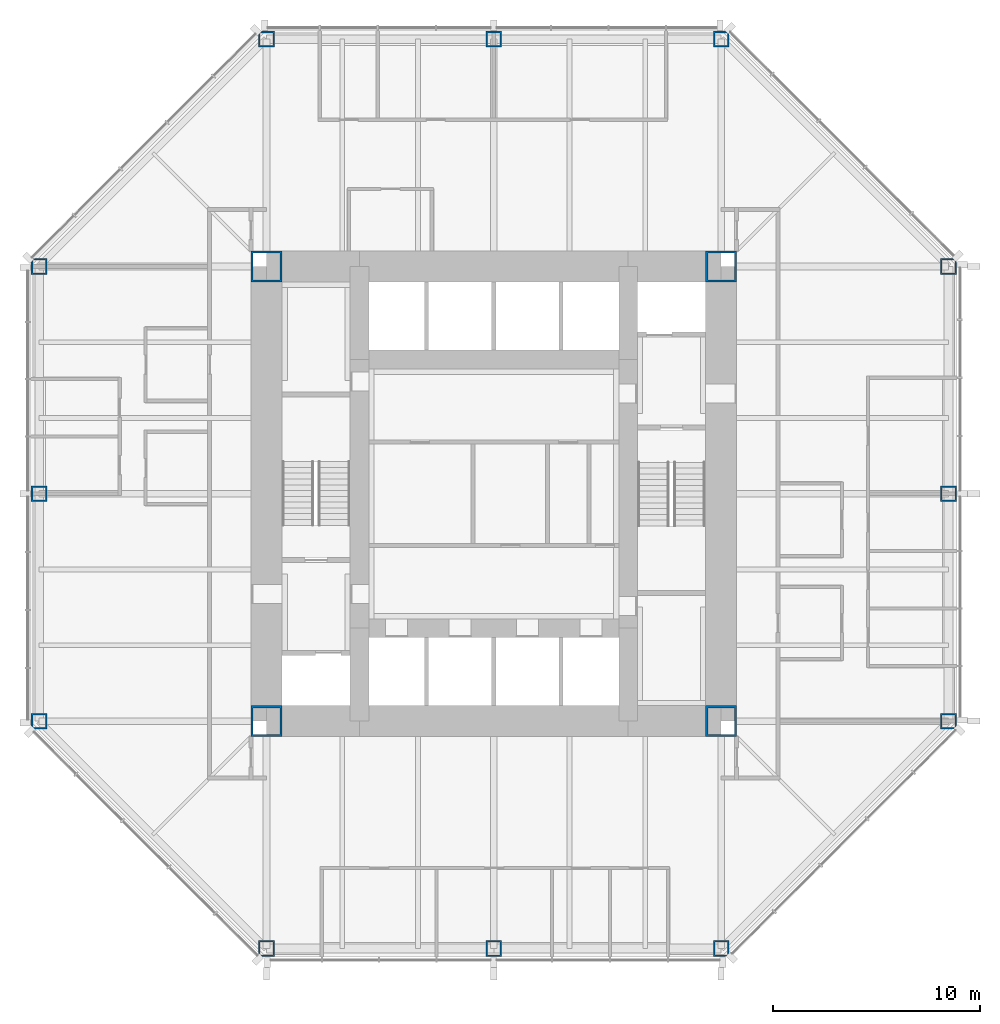
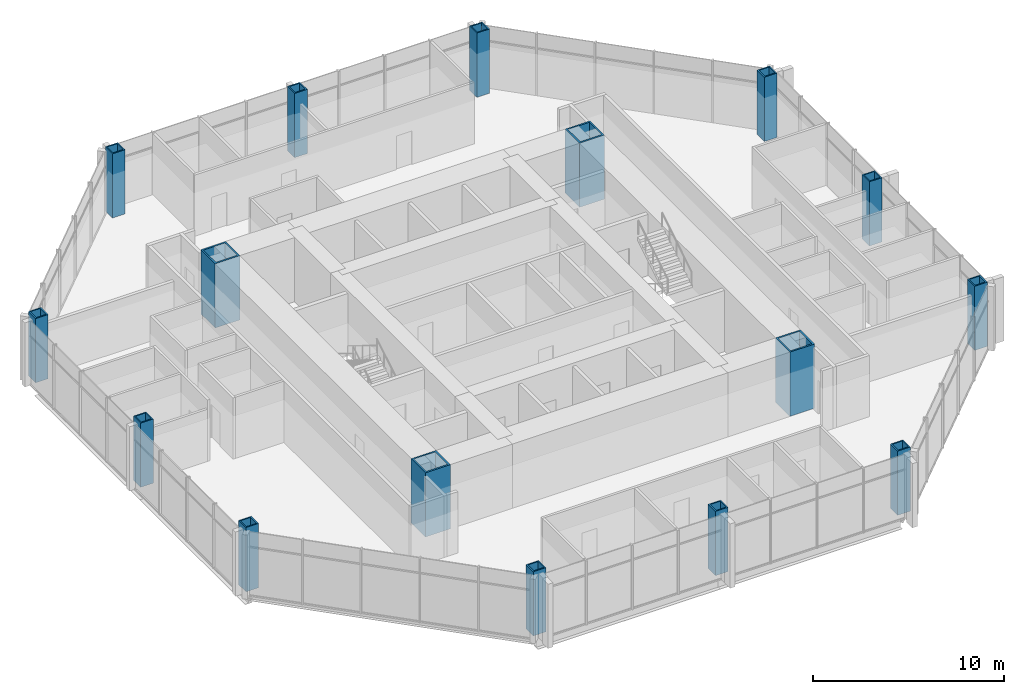
# One storey, part 1 of 12: 16 columns.
"""IFC4 building model written with IfcOpenShell, lengths in metres."""

import ifcopenshell
import ifcopenshell.guid

model = None  # the IFC model being written
_history = None  # IfcOwnerHistory: only IFC2X3 demands one
_inside = {}  # id of a spatial element -> (the spatial element, [elements in it])
_under = {}  # id of a project, library or spatial element -> (it, [spatial elements below it])
_declared = {}  # id of a project -> (the project, [libraries it declares])
_typed = {}  # id of a type object -> (the type object, [elements of that type])
_made_of = {}  # id of a material, layer set ... -> (it, [elements and type objects made of it])


def new_model(schema):
    """Start an empty IFC model of exactly this schema.

    Asked for "IFC4X3", IfcOpenShell would pick the latest addendum, in which some entities
    have other attributes; the version numbers below select the first issue.
    IFC2X3 requires an IfcOwnerHistory on every rooted entity: one is made here for all.
    """
    global model, _history
    if schema == "IFC4X3":
        model = ifcopenshell.file(schema_version=(4, 3, 0, 0))
    else:
        model = ifcopenshell.file(schema=schema)
    _inside.clear()
    _under.clear()
    _declared.clear()
    _typed.clear()
    _made_of.clear()
    _history = None
    if model.schema == "IFC2X3":
        org = make("IfcOrganization", Name="unknown")
        user = make(
            "IfcPersonAndOrganization",
            ThePerson=make("IfcPerson", FamilyName="unknown"),
            TheOrganization=org,
        )
        app = make(
            "IfcApplication",
            ApplicationDeveloper=org,
            Version="unknown",
            ApplicationFullName="unknown",
            ApplicationIdentifier="unknown",
        )
        _history = make(
            "IfcOwnerHistory",
            OwningUser=user,
            OwningApplication=app,
            ChangeAction="ADDED",
            CreationDate=0,
        )
    return model


def make(cls, **values):
    """One entity of the class cls with the attributes given. An attribute that is None is left unset."""
    return model.create_entity(
        cls, **{name: value for name, value in values.items() if value is not None}
    )


def rooted(cls, **values):
    """An entity with a GlobalId (a new one), such as an element, a storey or a relation."""
    return make(cls, GlobalId=ifcopenshell.guid.new(), OwnerHistory=_history, **values)


def si_unit(unit_type, name, prefix=None):
    """IfcSIUnit, for example si_unit("LENGTHUNIT", "METRE", prefix="MILLI")."""
    return make("IfcSIUnit", UnitType=unit_type, Prefix=prefix, Name=name)


def assignment(units):
    """IfcUnitAssignment: the units of a project."""
    return None if units is None else make("IfcUnitAssignment", Units=units)


def point(xyz):
    """IfcCartesianPoint."""
    return None if xyz is None else make("IfcCartesianPoint", Coordinates=xyz)


def direction(xyz):
    """IfcDirection."""
    return None if xyz is None else make("IfcDirection", DirectionRatios=xyz)


def frame(location, z_axis=None, x_axis=None):
    """IfcAxis2Placement3D, a coordinate frame: its origin and axes. An axis left out is left unset."""
    return make(
        "IfcAxis2Placement3D",
        Location=point(location),
        Axis=direction(z_axis),
        RefDirection=direction(x_axis),
    )


def frame_2d(location, x_axis=None):
    """IfcAxis2Placement2D, a coordinate frame in the plane: its origin and x axis."""
    return make(
        "IfcAxis2Placement2D", Location=point(location), RefDirection=direction(x_axis)
    )


def origin():
    """The frame at (0, 0, 0) with its axes left unset."""
    return frame((0.0, 0.0, 0.0))


def origin_2d():
    """The frame at (0, 0) in the plane with its x axis left unset."""
    return frame_2d((0.0, 0.0))


def place(relative_to, where):
    """IfcLocalPlacement: puts the frame where relative to a parent placement (None: the world)."""
    return make(
        "IfcLocalPlacement", PlacementRelTo=relative_to, RelativePlacement=where
    )


def context(
    kind, dimensions, precision=None, world=None, true_north=None, identifier=None
):
    """IfcGeometricRepresentationContext, for example the 3D "Model" context."""
    return make(
        "IfcGeometricRepresentationContext",
        ContextIdentifier=identifier,
        ContextType=kind,
        CoordinateSpaceDimension=dimensions,
        Precision=precision,
        WorldCoordinateSystem=world,
        TrueNorth=true_north,
    )


def subcontext(parent, identifier, kind, view, scale=None):
    """IfcGeometricRepresentationSubContext, for example "Body" below "Model"."""
    return make(
        "IfcGeometricRepresentationSubContext",
        ContextIdentifier=identifier,
        ContextType=kind,
        ParentContext=parent,
        TargetScale=scale,
        TargetView=view,
    )


def project(units=None, contexts=None):
    """IfcProject with its units and contexts."""
    return rooted(
        "IfcProject",
        Name="project",
        RepresentationContexts=contexts,
        UnitsInContext=assignment(units),
    )


def spatial(cls, under=None, at=None, **own):
    """A site, building, storey or space (cls), placed at a placement, below another one or the project."""
    s = rooted(cls, ObjectPlacement=at, **own)
    if under is not None:
        _under.setdefault(under.id(), (under, []))[1].append(s)
    return s


def profile(cls, at=None, kind="AREA", **sizes):
    """A parametric profile (cls). Its sizes go by their IFC names, for example OverallWidth=200.0."""
    return make(cls, ProfileType=kind, Position=at, **sizes)


def hollow_rectangle(**sizes):
    """IfcRectangleHollowProfileDef."""
    return profile("IfcRectangleHollowProfileDef", **sizes)


def extrude(swept, where, along, depth):
    """IfcExtrudedAreaSolid: the profile swept, set in the frame where, extruded along a direction by depth."""
    return make(
        "IfcExtrudedAreaSolid",
        SweptArea=swept,
        Position=where,
        ExtrudedDirection=direction(along),
        Depth=depth,
    )


def shape(context_of_items, identifier, shape_type, items):
    """IfcShapeRepresentation: the items that make up one representation, for example the "Body"."""
    return make(
        "IfcShapeRepresentation",
        ContextOfItems=context_of_items,
        RepresentationIdentifier=identifier,
        RepresentationType=shape_type,
        Items=items,
    )


def material(Name=None, Category=None):
    """IfcMaterial."""
    return make("IfcMaterial", Name=Name, Category=Category)


def material_profile(
    of_material, cross_section, Name=None, Category=None, Priority=None
):
    """IfcMaterialProfile: a cross section and its material."""
    return make(
        "IfcMaterialProfile",
        Name=Name,
        Material=of_material,
        Profile=cross_section,
        Priority=Priority,
        Category=Category,
    )


def profile_set(profiles, Name=None, composite=None):
    """IfcMaterialProfileSet."""
    return make(
        "IfcMaterialProfileSet",
        Name=Name,
        MaterialProfiles=profiles,
        CompositeProfile=composite,
    )


def made_of(thing, what):
    """Note that an element or type object is made of a material, layer set ...; save() writes the relation."""
    if what is not None:
        _made_of.setdefault(what.id(), (what, []))[1].append(thing)
    return thing


def type_object(cls, material=None, **own):
    """A type object (cls), such as IfcWallType, which elements share."""
    return made_of(rooted(cls, **own), material)


def element(
    cls,
    number,
    at=None,
    inside=None,
    cuts=None,
    type_object=None,
    material=None,
    context=None,
    identifier="Body",
    shape_type=None,
    held_by="IfcProductDefinitionShape",
    body=None,
    shapes=None,
    **own,
):
    """One element of the class cls, such as IfcWall. Its Tag is "e" and its number.

    at: its placement. inside: the storey or other place that contains it. cuts: it is an
    opening in that element (IfcRelVoidsElement). A single representation is given by context,
    identifier, shape_type and body (its items); several are given by shapes. held_by: the class
    of the entity that holds the representations. save() writes the other relations.
    """
    e = rooted(cls, Tag="e%d" % number, ObjectPlacement=at, **own)
    if body is not None:
        shapes = [shape(context, identifier, shape_type, body)]
    if shapes is not None:
        e.Representation = make(held_by, Representations=shapes)
    if inside is not None:
        _inside.setdefault(inside.id(), (inside, []))[1].append(e)
    if cuts is not None:
        rooted(
            "IfcRelVoidsElement", RelatingBuildingElement=cuts, RelatedOpeningElement=e
        )
    if type_object is not None:
        _typed.setdefault(type_object.id(), (type_object, []))[1].append(e)
    return made_of(e, material)


def aggregate(whole, parts):
    """IfcRelAggregates: a whole, such as a stair, and the parts it consists of."""
    return rooted("IfcRelAggregates", RelatingObject=whole, RelatedObjects=parts)


def save(model, path):
    """Write the relations noted so far, then the file.

    IfcRelAggregates (storeys below a building ...), IfcRelContainedInSpatialStructure (elements
    in a storey), IfcRelDefinesByType, IfcRelAssociatesMaterial and IfcRelDeclares: one each for
    every whole, place, type object, material and project.
    """
    for whole, parts in _under.values():
        aggregate(whole, parts)
    for where, things in _inside.values():
        rooted(
            "IfcRelContainedInSpatialStructure",
            RelatedElements=things,
            RelatingStructure=where,
        )
    for kind, things in _typed.values():
        rooted("IfcRelDefinesByType", RelatedObjects=things, RelatingType=kind)
    for what, things in _made_of.values():
        rooted("IfcRelAssociatesMaterial", RelatedObjects=things, RelatingMaterial=what)
    for by, libraries in _declared.values():
        rooted("IfcRelDeclares", RelatingContext=by, RelatedDefinitions=libraries)
    model.write(path)


model = new_model("IFC4")

# Units and contexts
model_context = context("Model", 3, precision=1e-05, world=origin(), true_north=direction((0.0, 1.0)))
body_context = subcontext(model_context, "Body", "Model", "MODEL_VIEW")
ifc_project = project(units=[si_unit("LENGTHUNIT", "METRE"), si_unit("AREAUNIT", "SQUARE_METRE"), si_unit("VOLUMEUNIT", "CUBIC_METRE"), si_unit("PLANEANGLEUNIT", "RADIAN"), si_unit("MASSUNIT", "GRAM", prefix="KILO")], contexts=[model_context])

# Site, building, storey
site_placement = place(None, origin())
site = spatial("IfcSite", under=ifc_project, at=site_placement, CompositionType="ELEMENT")
building_placement = place(site_placement, origin())
building = spatial("IfcBuilding", under=site, at=building_placement, Name="Trevanion Tower", CompositionType="ELEMENT")
storey_placement = place(building_placement, frame((0.0, 0.0, 141.800048828125)))
storey = spatial("IfcBuildingStorey", under=building, at=storey_placement, Name="L33", CompositionType="ELEMENT", Elevation=141.800048828125)

# Columns
ifc_material_1 = material(Name="Steel ASTM A572 Grade 50", Category="steel")
ifc_material_profile_1 = material_profile(ifc_material_1, hollow_rectangle(XDim=0.761962890625, YDim=0.761962890625, WallThickness=0.076171875, at=origin_2d()), Name="BOX30X30X3")
ifc_profile_set_1 = profile_set([ifc_material_profile_1], Name="Steel ASTM A572 Grade 50")
column_type_1 = type_object("IfcColumnType", Name="C4 BOX30X30X3", PredefinedType="COLUMN", material=ifc_profile_set_1)
for number, where, z_axis, x_axis, name in (
    (1, (-22.0, 0.0, 0.0), (0.0, 0.0, 1.0), (0.0, 1.0, 0.0), "C4 4/H L33"),
    (2, (-22.0, -11.0, 0.0), (0.0, 0.0, 1.0), (0.0, 1.0, 0.0), "C4 4/F L33"),
    (3, (-11.0, -22.0, 0.0), (0.0, 0.0, 1.0), (1.0, 0.0, 0.0), "C4 8/B L33"),
    (4, (0.0, -22.0, 0.0), (0.0, 0.0, 1.0), (1.0, 0.0, 0.0), "C4 10/B L33"),
    (5, (11.0, -22.0, 0.0), (0.0, 0.0, 1.0), (1.0, 0.0, 0.0), "C4 12/B L33"),
    (6, (22.0, -11.0, 0.0), (0.0, 0.0, 1.0), (0.0, 1.0, 0.0), "C4 16/F L33"),
    (7, (22.0, 0.0, 0.0), (0.0, 0.0, 1.0), (0.0, 1.0, 0.0), "C4 16/H L33"),
    (8, (22.0, 11.0, 0.0), (0.0, 0.0, 1.0), (0.0, 1.0, 0.0), "C4 16/K L33"),
    (9, (11.0, 22.0, 0.0), (0.0, 0.0, 1.0), (1.0, 0.0, 0.0), "C4 12/P L33"),
    (10, (0.0, 22.0, 0.0), (0.0, 0.0, 1.0), (1.0, 0.0, 0.0), "C4 10/P L33"),
    (11, (-11.0, 22.0, 0.0), (0.0, 0.0, 1.0), (1.0, 0.0, 0.0), "C4 8/P L33"),
    (12, (-22.0, 11.0, 0.0), (0.0, 0.0, 1.0), (0.0, 1.0, 0.0), "C4 4/K L33"),
):
    element("IfcColumn", number, at=place(storey_placement, frame(where, z_axis=z_axis, x_axis=x_axis)), inside=storey, type_object=column_type_1, Name=name, PredefinedType="COLUMN", context=body_context, shape_type="SweptSolid", body=[
        extrude(hollow_rectangle(XDim=0.761962890625, YDim=0.761962890625, WallThickness=0.076171875, at=origin_2d()), origin(), (0.0, 0.0, 1.0), 4.099853515625),
    ])
ifc_material_2 = material(Name="Steel ASTM A572 Grade 50", Category="steel")
ifc_material_profile_2 = material_profile(ifc_material_2, hollow_rectangle(XDim=1.49853515625, YDim=1.49853515625, WallThickness=0.1015625, at=origin_2d()), Name="BOX59X59X4")
ifc_profile_set_2 = profile_set([ifc_material_profile_2], Name="Steel ASTM A572 Grade 50")
column_type_2 = type_object("IfcColumnType", Name="CB1 BOX59X59X4", PredefinedType="COLUMN", material=ifc_profile_set_2)
for number, where, z_axis, x_axis, name in (
    (13, (11.0, 11.0, 0.0), (0.0, 0.0, 1.0), (1.0, 0.0, 0.0), "CB1 NE L33"),
    (14, (-11.0, 11.0, 0.0), (0.0, 0.0, 1.0), (1.0, 0.0, 0.0), "CB1 NW L33"),
    (15, (-11.0, -11.0, 0.0), (0.0, 0.0, 1.0), (1.0, 0.0, 0.0), "CB1 SW L33"),
    (16, (11.0, -11.0, 0.0), (0.0, 0.0, 1.0), (1.0, 0.0, 0.0), "CB1 SE L33"),
):
    element("IfcColumn", number, at=place(storey_placement, frame(where, z_axis=z_axis, x_axis=x_axis)), inside=storey, type_object=column_type_2, Name=name, PredefinedType="COLUMN", context=body_context, shape_type="SweptSolid", body=[
        extrude(hollow_rectangle(XDim=1.49853515625, YDim=1.49853515625, WallThickness=0.1015625, at=origin_2d()), origin(), (0.0, 0.0, 1.0), 4.099853515625),
    ])

save(model, "model.ifc")
